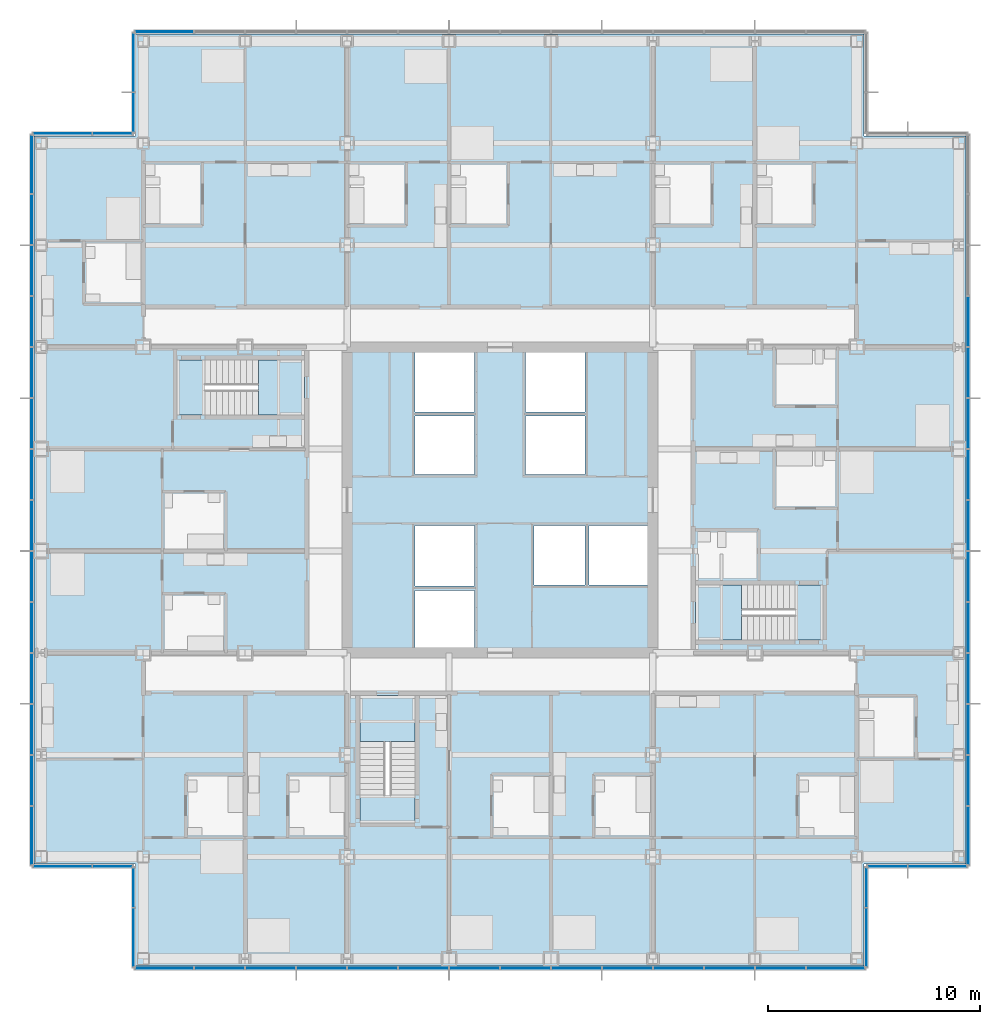
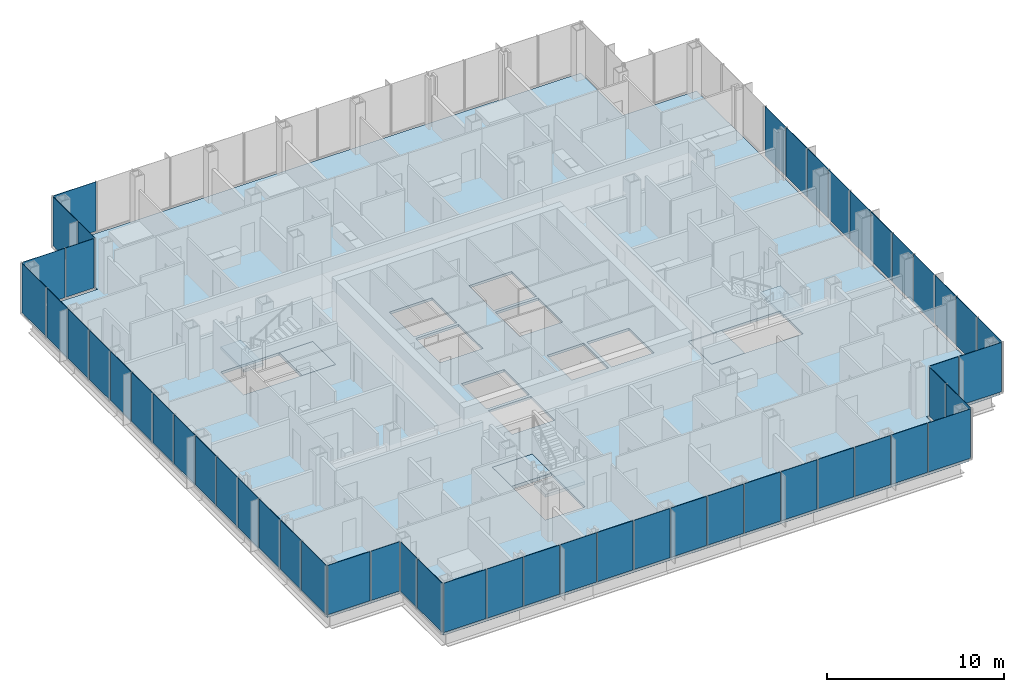
# One storey, part 12 of 21: 52 plates, 7 slabs, 13 elements without a shape of their own.
"""IFC4 building model written with IfcOpenShell, lengths in metres."""

import ifcopenshell
import ifcopenshell.guid

model = None  # the IFC model being written
_history = None  # IfcOwnerHistory: only IFC2X3 demands one
_inside = {}  # id of a spatial element -> (the spatial element, [elements in it])
_under = {}  # id of a project, library or spatial element -> (it, [spatial elements below it])
_declared = {}  # id of a project -> (the project, [libraries it declares])
_typed = {}  # id of a type object -> (the type object, [elements of that type])
_made_of = {}  # id of a material, layer set ... -> (it, [elements and type objects made of it])


def new_model(schema):
    """Start an empty IFC model of exactly this schema.

    Asked for "IFC4X3", IfcOpenShell would pick the latest addendum, in which some entities
    have other attributes; the version numbers below select the first issue.
    IFC2X3 requires an IfcOwnerHistory on every rooted entity: one is made here for all.
    """
    global model, _history
    if schema == "IFC4X3":
        model = ifcopenshell.file(schema_version=(4, 3, 0, 0))
    else:
        model = ifcopenshell.file(schema=schema)
    _inside.clear()
    _under.clear()
    _declared.clear()
    _typed.clear()
    _made_of.clear()
    _history = None
    if model.schema == "IFC2X3":
        org = make("IfcOrganization", Name="unknown")
        user = make(
            "IfcPersonAndOrganization",
            ThePerson=make("IfcPerson", FamilyName="unknown"),
            TheOrganization=org,
        )
        app = make(
            "IfcApplication",
            ApplicationDeveloper=org,
            Version="unknown",
            ApplicationFullName="unknown",
            ApplicationIdentifier="unknown",
        )
        _history = make(
            "IfcOwnerHistory",
            OwningUser=user,
            OwningApplication=app,
            ChangeAction="ADDED",
            CreationDate=0,
        )
    return model


def make(cls, **values):
    """One entity of the class cls with the attributes given. An attribute that is None is left unset."""
    return model.create_entity(
        cls, **{name: value for name, value in values.items() if value is not None}
    )


def rooted(cls, **values):
    """An entity with a GlobalId (a new one), such as an element, a storey or a relation."""
    return make(cls, GlobalId=ifcopenshell.guid.new(), OwnerHistory=_history, **values)


def si_unit(unit_type, name, prefix=None):
    """IfcSIUnit, for example si_unit("LENGTHUNIT", "METRE", prefix="MILLI")."""
    return make("IfcSIUnit", UnitType=unit_type, Prefix=prefix, Name=name)


def assignment(units):
    """IfcUnitAssignment: the units of a project."""
    return None if units is None else make("IfcUnitAssignment", Units=units)


def point(xyz):
    """IfcCartesianPoint."""
    return None if xyz is None else make("IfcCartesianPoint", Coordinates=xyz)


def direction(xyz):
    """IfcDirection."""
    return None if xyz is None else make("IfcDirection", DirectionRatios=xyz)


def frame(location, z_axis=None, x_axis=None):
    """IfcAxis2Placement3D, a coordinate frame: its origin and axes. An axis left out is left unset."""
    return make(
        "IfcAxis2Placement3D",
        Location=point(location),
        Axis=direction(z_axis),
        RefDirection=direction(x_axis),
    )


def frame_2d(location, x_axis=None):
    """IfcAxis2Placement2D, a coordinate frame in the plane: its origin and x axis."""
    return make(
        "IfcAxis2Placement2D", Location=point(location), RefDirection=direction(x_axis)
    )


def origin():
    """The frame at (0, 0, 0) with its axes left unset."""
    return frame((0.0, 0.0, 0.0))


def origin_2d():
    """The frame at (0, 0) in the plane with its x axis left unset."""
    return frame_2d((0.0, 0.0))


def place(relative_to, where):
    """IfcLocalPlacement: puts the frame where relative to a parent placement (None: the world)."""
    return make(
        "IfcLocalPlacement", PlacementRelTo=relative_to, RelativePlacement=where
    )


def context(
    kind, dimensions, precision=None, world=None, true_north=None, identifier=None
):
    """IfcGeometricRepresentationContext, for example the 3D "Model" context."""
    return make(
        "IfcGeometricRepresentationContext",
        ContextIdentifier=identifier,
        ContextType=kind,
        CoordinateSpaceDimension=dimensions,
        Precision=precision,
        WorldCoordinateSystem=world,
        TrueNorth=true_north,
    )


def subcontext(parent, identifier, kind, view, scale=None):
    """IfcGeometricRepresentationSubContext, for example "Body" below "Model"."""
    return make(
        "IfcGeometricRepresentationSubContext",
        ContextIdentifier=identifier,
        ContextType=kind,
        ParentContext=parent,
        TargetScale=scale,
        TargetView=view,
    )


def project(units=None, contexts=None):
    """IfcProject with its units and contexts."""
    return rooted(
        "IfcProject",
        Name="project",
        RepresentationContexts=contexts,
        UnitsInContext=assignment(units),
    )


def spatial(cls, under=None, at=None, **own):
    """A site, building, storey or space (cls), placed at a placement, below another one or the project."""
    s = rooted(cls, ObjectPlacement=at, **own)
    if under is not None:
        _under.setdefault(under.id(), (under, []))[1].append(s)
    return s


def polyline(points):
    """IfcPolyline through the points."""
    return make("IfcPolyline", Points=[point(p) for p in points])


def profile(cls, at=None, kind="AREA", **sizes):
    """A parametric profile (cls). Its sizes go by their IFC names, for example OverallWidth=200.0."""
    return make(cls, ProfileType=kind, Position=at, **sizes)


def rectangle(**sizes):
    """IfcRectangleProfileDef."""
    return profile("IfcRectangleProfileDef", **sizes)


def outline(outer, holes=None, kind="AREA"):
    """IfcArbitraryClosedProfileDef: a profile drawn as a closed curve; with holes, ...WithVoids."""
    if holes is None:
        return make("IfcArbitraryClosedProfileDef", ProfileType=kind, OuterCurve=outer)
    return make(
        "IfcArbitraryProfileDefWithVoids",
        ProfileType=kind,
        OuterCurve=outer,
        InnerCurves=holes,
    )


def extrude(swept, where, along, depth):
    """IfcExtrudedAreaSolid: the profile swept, set in the frame where, extruded along a direction by depth."""
    return make(
        "IfcExtrudedAreaSolid",
        SweptArea=swept,
        Position=where,
        ExtrudedDirection=direction(along),
        Depth=depth,
    )


def shape(context_of_items, identifier, shape_type, items):
    """IfcShapeRepresentation: the items that make up one representation, for example the "Body"."""
    return make(
        "IfcShapeRepresentation",
        ContextOfItems=context_of_items,
        RepresentationIdentifier=identifier,
        RepresentationType=shape_type,
        Items=items,
    )


def material(Name=None, Category=None):
    """IfcMaterial."""
    return make("IfcMaterial", Name=Name, Category=Category)


def layer(
    of_material, thickness, ventilated=None, Name=None, Category=None, Priority=None
):
    """IfcMaterialLayer: one layer of a wall or slab, of a material (None: an air gap)."""
    return make(
        "IfcMaterialLayer",
        Material=of_material,
        LayerThickness=thickness,
        IsVentilated=ventilated,
        Name=Name,
        Category=Category,
        Priority=Priority,
    )


def layer_set(layers, Name=None):
    """IfcMaterialLayerSet."""
    return make("IfcMaterialLayerSet", MaterialLayers=layers, LayerSetName=Name)


def made_of(thing, what):
    """Note that an element or type object is made of a material, layer set ...; save() writes the relation."""
    if what is not None:
        _made_of.setdefault(what.id(), (what, []))[1].append(thing)
    return thing


def type_object(cls, material=None, **own):
    """A type object (cls), such as IfcWallType, which elements share."""
    return made_of(rooted(cls, **own), material)


def element(
    cls,
    number,
    at=None,
    inside=None,
    cuts=None,
    type_object=None,
    material=None,
    context=None,
    identifier="Body",
    shape_type=None,
    held_by="IfcProductDefinitionShape",
    body=None,
    shapes=None,
    **own,
):
    """One element of the class cls, such as IfcWall. Its Tag is "e" and its number.

    at: its placement. inside: the storey or other place that contains it. cuts: it is an
    opening in that element (IfcRelVoidsElement). A single representation is given by context,
    identifier, shape_type and body (its items); several are given by shapes. held_by: the class
    of the entity that holds the representations. save() writes the other relations.
    """
    e = rooted(cls, Tag="e%d" % number, ObjectPlacement=at, **own)
    if body is not None:
        shapes = [shape(context, identifier, shape_type, body)]
    if shapes is not None:
        e.Representation = make(held_by, Representations=shapes)
    if inside is not None:
        _inside.setdefault(inside.id(), (inside, []))[1].append(e)
    if cuts is not None:
        rooted(
            "IfcRelVoidsElement", RelatingBuildingElement=cuts, RelatedOpeningElement=e
        )
    if type_object is not None:
        _typed.setdefault(type_object.id(), (type_object, []))[1].append(e)
    return made_of(e, material)


def aggregate(whole, parts):
    """IfcRelAggregates: a whole, such as a stair, and the parts it consists of."""
    return rooted("IfcRelAggregates", RelatingObject=whole, RelatedObjects=parts)


def save(model, path):
    """Write the relations noted so far, then the file.

    IfcRelAggregates (storeys below a building ...), IfcRelContainedInSpatialStructure (elements
    in a storey), IfcRelDefinesByType, IfcRelAssociatesMaterial and IfcRelDeclares: one each for
    every whole, place, type object, material and project.
    """
    for whole, parts in _under.values():
        aggregate(whole, parts)
    for where, things in _inside.values():
        rooted(
            "IfcRelContainedInSpatialStructure",
            RelatedElements=things,
            RelatingStructure=where,
        )
    for kind, things in _typed.values():
        rooted("IfcRelDefinesByType", RelatedObjects=things, RelatingType=kind)
    for what, things in _made_of.values():
        rooted("IfcRelAssociatesMaterial", RelatedObjects=things, RelatingMaterial=what)
    for by, libraries in _declared.values():
        rooted("IfcRelDeclares", RelatingContext=by, RelatedDefinitions=libraries)
    model.write(path)


model = new_model("IFC4")

# Units and contexts
model_context = context("Model", 3, precision=1e-05, world=origin(), true_north=direction((0.0, 1.0)))
body_context = subcontext(model_context, "Body", "Model", "MODEL_VIEW")
ifc_project = project(units=[si_unit("LENGTHUNIT", "METRE"), si_unit("AREAUNIT", "SQUARE_METRE"), si_unit("VOLUMEUNIT", "CUBIC_METRE"), si_unit("PLANEANGLEUNIT", "RADIAN"), si_unit("MASSUNIT", "GRAM", prefix="KILO")], contexts=[model_context])

# Site, building, storey
site_placement = place(None, origin())
site = spatial("IfcSite", under=ifc_project, at=site_placement, CompositionType="ELEMENT")
building_placement = place(site_placement, origin())
building = spatial("IfcBuilding", under=site, at=building_placement, Name="Kvirike Care Tower", CompositionType="ELEMENT")
storey_placement = place(building_placement, frame((0.0, 0.0, 30.5)))
storey = spatial("IfcBuildingStorey", under=building, at=storey_placement, Name="L07", CompositionType="ELEMENT", Elevation=30.5)

# Slab
ifc_material_1 = material(Name="Concrete C35/45", Category="concrete")
ifc_layer_1 = layer(ifc_material_1, 0.169921875)
ifc_layer_set_1 = layer_set([ifc_layer_1], Name="FLOOR SLAB 170")
slab_type_1 = type_object("IfcSlabType", Name="FLOOR SLAB 170", PredefinedType="FLOOR", material=ifc_layer_set_1)
slab_1_placement = place(storey_placement, frame((0.0, 0.0, -0.169921875)))
element("IfcSlab", 1, at=slab_1_placement, inside=storey, type_object=slab_type_1, Name="Floor slab L07", PredefinedType="FLOOR", context=body_context, shape_type="SweptSolid", body=[
    extrude(outline(polyline([(-0.35009765625, 53.14990234375), (-0.35009765625, 18.85009765625), (4.449951171875, 18.85009765625), (4.449951171875, 14.050048828125), (38.75, 14.050048828125), (38.75, 18.85009765625), (43.550048828125, 18.85009765625), (43.550048828125, 53.14990234375), (38.75, 53.14990234375), (38.75, 57.949951171875), (4.449951171875, 57.949951171875), (4.449951171875, 53.14990234375), (-0.35009765625, 53.14990234375)]), holes=[polyline([(17.60009765625, 29.050048828125), (17.60009765625, 31.75), (20.39990234375, 31.75), (20.39990234375, 29.050048828125), (17.60009765625, 29.050048828125)]), polyline([(17.60009765625, 31.949951171875), (17.60009765625, 34.800048828125), (20.39990234375, 34.800048828125), (20.39990234375, 31.949951171875), (17.60009765625, 31.949951171875)]), polyline([(17.60009765625, 37.199951171875), (17.60009765625, 39.949951171875), (20.39990234375, 39.949951171875), (20.39990234375, 37.199951171875), (17.60009765625, 37.199951171875)]), polyline([(17.60009765625, 40.14990234375), (17.60009765625, 42.949951171875), (20.39990234375, 42.949951171875), (20.39990234375, 40.14990234375), (17.60009765625, 40.14990234375)]), polyline([(22.800048828125, 37.199951171875), (22.800048828125, 39.949951171875), (25.60009765625, 39.949951171875), (25.60009765625, 37.199951171875), (22.800048828125, 37.199951171875)]), polyline([(22.800048828125, 40.14990234375), (22.800048828125, 42.949951171875), (25.60009765625, 42.949951171875), (25.60009765625, 40.14990234375), (22.800048828125, 40.14990234375)]), polyline([(23.199951171875, 32.0), (23.199951171875, 34.800048828125), (25.60009765625, 34.800048828125), (25.60009765625, 32.0), (23.199951171875, 32.0)]), polyline([(25.800048828125, 32.0), (25.800048828125, 34.800048828125), (28.550048828125, 34.800048828125), (28.550048828125, 32.0), (25.800048828125, 32.0)]), polyline([(12.39990234375, 42.60009765625), (12.39990234375, 40.0), (6.39990234375, 40.0), (6.39990234375, 42.60009765625), (12.39990234375, 42.60009765625)]), polyline([(30.800048828125, 29.39990234375), (30.800048828125, 32.0), (36.800048828125, 32.0), (36.800048828125, 29.39990234375), (30.800048828125, 29.39990234375)]), polyline([(15.0, 26.800048828125), (17.60009765625, 26.800048828125), (17.60009765625, 20.800048828125), (15.0, 20.800048828125), (15.0, 26.800048828125)])]), origin(), (0.0, 0.0, 1.0), 0.169921875),
])

# Stair, slabs
ifc_material_2 = material(Name="Concrete C35/45", Category="concrete")
stair_type = type_object("IfcStairType", Name="STAIR 20 RISERS", PredefinedType="HALF_TURN_STAIR", material=ifc_material_2)
stair_1_placement = place(storey_placement, origin())
stair_1 = element("IfcStair", 2, at=stair_1_placement, inside=storey, type_object=stair_type, Name="Stair 1 L07", PredefinedType="HALF_TURN_STAIR")
ifc_material_3 = material(Name="Concrete C35/45", Category="concrete")
ifc_layer_2 = layer(ifc_material_3, 0.199951171875)
ifc_layer_set_2 = layer_set([ifc_layer_2], Name="STAIR LANDING 200")
slab_type_2 = type_object("IfcSlabType", Name="STAIR LANDING 200", PredefinedType="LANDING", material=ifc_layer_set_2)
slab_2_placement = place(storey_placement, frame((0.0, 0.0, -0.199951171875)))
slab_2 = element("IfcSlab", 3, at=slab_2_placement, type_object=slab_type_2, Name="Stair S1 floor landing L07", PredefinedType="LANDING", context=body_context, shape_type="SweptSolid", body=[
    extrude(outline(polyline([(10.219970703125, 42.60009765625), (10.219970703125, 40.0), (12.39990234375, 40.0), (12.39990234375, 42.60009765625), (10.219970703125, 42.60009765625)])), origin(), (0.0, 0.0, 1.0), 0.199951171875),
])
slab_3_placement = place(storey_placement, frame((0.0, 0.0, 1.550048828125)))
slab_3 = element("IfcSlab", 4, at=slab_3_placement, type_object=slab_type_2, Name="Stair S1 half landing L07-L08", PredefinedType="LANDING", context=body_context, shape_type="SweptSolid", body=[
    extrude(outline(polyline([(6.39990234375, 42.60009765625), (6.39990234375, 40.0), (7.699951171875, 40.0), (7.699951171875, 42.60009765625), (6.39990234375, 42.60009765625)])), origin(), (0.0, 0.0, 1.0), 0.199951171875),
])
aggregate(stair_1, [slab_2, slab_3])

stair_2_placement = place(storey_placement, origin())
stair_2 = element("IfcStair", 5, at=stair_2_placement, inside=storey, type_object=stair_type, Name="Stair 2 L07", PredefinedType="HALF_TURN_STAIR")
slab_4_placement = place(storey_placement, frame((0.0, 0.0, -0.199951171875)))
slab_4 = element("IfcSlab", 6, at=slab_4_placement, type_object=slab_type_2, Name="Stair S2 floor landing L07", PredefinedType="LANDING", context=body_context, shape_type="SweptSolid", body=[
    extrude(outline(polyline([(32.97998046875, 29.39990234375), (32.97998046875, 32.0), (30.800048828125, 32.0), (30.800048828125, 29.39990234375), (32.97998046875, 29.39990234375)])), origin(), (0.0, 0.0, 1.0), 0.199951171875),
])
slab_5_placement = place(storey_placement, frame((0.0, 0.0, 1.550048828125)))
slab_5 = element("IfcSlab", 7, at=slab_5_placement, type_object=slab_type_2, Name="Stair S2 half landing L07-L08", PredefinedType="LANDING", context=body_context, shape_type="SweptSolid", body=[
    extrude(outline(polyline([(36.800048828125, 29.39990234375), (36.800048828125, 32.0), (35.5, 32.0), (35.5, 29.39990234375), (36.800048828125, 29.39990234375)])), origin(), (0.0, 0.0, 1.0), 0.199951171875),
])
aggregate(stair_2, [slab_4, slab_5])

stair_3_placement = place(storey_placement, origin())
stair_3 = element("IfcStair", 8, at=stair_3_placement, inside=storey, type_object=stair_type, Name="Stair 5 L07", PredefinedType="HALF_TURN_STAIR")
slab_6_placement = place(storey_placement, frame((0.0, 0.0, -0.199951171875)))
slab_6 = element("IfcSlab", 9, at=slab_6_placement, type_object=slab_type_2, Name="Stair S5 floor landing L07", PredefinedType="LANDING", context=body_context, shape_type="SweptSolid", body=[
    extrude(outline(polyline([(15.0, 24.6201171875), (17.60009765625, 24.6201171875), (17.60009765625, 26.800048828125), (15.0, 26.800048828125), (15.0, 24.6201171875)])), origin(), (0.0, 0.0, 1.0), 0.199951171875),
])
slab_7_placement = place(storey_placement, frame((0.0, 0.0, 1.550048828125)))
slab_7 = element("IfcSlab", 10, at=slab_7_placement, type_object=slab_type_2, Name="Stair S5 half landing L07-L08", PredefinedType="LANDING", context=body_context, shape_type="SweptSolid", body=[
    extrude(outline(polyline([(15.0, 20.800048828125), (17.60009765625, 20.800048828125), (17.60009765625, 22.10009765625), (15.0, 22.10009765625), (15.0, 20.800048828125)])), origin(), (0.0, 0.0, 1.0), 0.199951171875),
])
aggregate(stair_3, [slab_6, slab_7])

# Curtain wall, plates
ifc_material_4 = material(Name="Anodised aluminium stick system", Category="aluminium")
curtain_wall_type = type_object("IfcCurtainWallType", Name="CW-A STICK CURTAIN WALL", PredefinedType="NOTDEFINED", material=ifc_material_4)
curtain_wall_1_placement = place(storey_placement, origin())
curtain_wall_1 = element("IfcCurtainWall", 11, at=curtain_wall_1_placement, inside=storey, type_object=curtain_wall_type, Name="Curtain wall L07 face 1", PredefinedType="NOTDEFINED")
ifc_material_5 = material(Name="Tinted double glazed unit", Category="glass")
ifc_layer_3 = layer(ifc_material_5, 0.031982421875)
ifc_layer_set_3 = layer_set([ifc_layer_3], Name="TINTED VISION PANEL 32")
plate_type = type_object("IfcPlateType", Name="TINTED VISION PANEL 32", PredefinedType="CURTAIN_PANEL", material=ifc_layer_set_3)
plate_1_placement = place(storey_placement, frame((-0.449951171875, 51.808837890625, 0.10009765625), z_axis=(0.0, 0.0, 1.0), x_axis=(0.0, -1.0, 0.0)))
plate_1 = element("IfcPlate", 12, at=plate_1_placement, type_object=plate_type, Name="CW-A panel L07 face 1.1", PredefinedType="CURTAIN_PANEL", context=body_context, shape_type="SweptSolid", body=[
    extrude(rectangle(XDim=2.75244140625, YDim=0.031982421875, at=origin_2d()), origin(), (0.0, 0.0, 1.0), 3.39990234375),
])
plate_2_placement = place(storey_placement, frame((-0.449951171875, 49.199951171875, 0.10009765625), z_axis=(0.0, 0.0, 1.0), x_axis=(0.0, -1.0, 0.0)))
plate_2 = element("IfcPlate", 13, at=plate_2_placement, type_object=plate_type, Name="CW-A panel L07 face 1.2", PredefinedType="CURTAIN_PANEL", context=body_context, shape_type="SweptSolid", body=[
    extrude(rectangle(XDim=2.3349609375, YDim=0.031982421875, at=origin_2d()), origin(), (0.0, 0.0, 1.0), 3.39990234375),
])
plate_3_placement = place(storey_placement, frame((-0.449951171875, 46.800048828125, 0.10009765625), z_axis=(0.0, 0.0, 1.0), x_axis=(0.0, -1.0, 0.0)))
plate_3 = element("IfcPlate", 14, at=plate_3_placement, type_object=plate_type, Name="CW-A panel L07 face 1.3", PredefinedType="CURTAIN_PANEL", context=body_context, shape_type="SweptSolid", body=[
    extrude(rectangle(XDim=2.3349609375, YDim=0.031982421875, at=origin_2d()), origin(), (0.0, 0.0, 1.0), 3.39990234375),
])
plate_4_placement = place(storey_placement, frame((-0.449951171875, 44.39990234375, 0.10009765625), z_axis=(0.0, 0.0, 1.0), x_axis=(0.0, -1.0, 0.0)))
plate_4 = element("IfcPlate", 15, at=plate_4_placement, type_object=plate_type, Name="CW-A panel L07 face 1.4", PredefinedType="CURTAIN_PANEL", context=body_context, shape_type="SweptSolid", body=[
    extrude(rectangle(XDim=2.3349609375, YDim=0.031982421875, at=origin_2d()), origin(), (0.0, 0.0, 1.0), 3.39990234375),
])
plate_5_placement = place(storey_placement, frame((-0.449951171875, 42.0, 0.10009765625), z_axis=(0.0, 0.0, 1.0), x_axis=(0.0, -1.0, 0.0)))
plate_5 = element("IfcPlate", 16, at=plate_5_placement, type_object=plate_type, Name="CW-A panel L07 face 1.5", PredefinedType="CURTAIN_PANEL", context=body_context, shape_type="SweptSolid", body=[
    extrude(rectangle(XDim=2.3349609375, YDim=0.031982421875, at=origin_2d()), origin(), (0.0, 0.0, 1.0), 3.39990234375),
])
plate_6_placement = place(storey_placement, frame((-0.449951171875, 39.60009765625, 0.10009765625), z_axis=(0.0, 0.0, 1.0), x_axis=(0.0, -1.0, 0.0)))
plate_6 = element("IfcPlate", 17, at=plate_6_placement, type_object=plate_type, Name="CW-A panel L07 face 1.6", PredefinedType="CURTAIN_PANEL", context=body_context, shape_type="SweptSolid", body=[
    extrude(rectangle(XDim=2.3349609375, YDim=0.031982421875, at=origin_2d()), origin(), (0.0, 0.0, 1.0), 3.39990234375),
])
plate_7_placement = place(storey_placement, frame((-0.449951171875, 37.199951171875, 0.10009765625), z_axis=(0.0, 0.0, 1.0), x_axis=(0.0, -1.0, 0.0)))
plate_7 = element("IfcPlate", 18, at=plate_7_placement, type_object=plate_type, Name="CW-A panel L07 face 1.7", PredefinedType="CURTAIN_PANEL", context=body_context, shape_type="SweptSolid", body=[
    extrude(rectangle(XDim=2.3349609375, YDim=0.031982421875, at=origin_2d()), origin(), (0.0, 0.0, 1.0), 3.39990234375),
])
plate_8_placement = place(storey_placement, frame((-0.449951171875, 34.800048828125, 0.10009765625), z_axis=(0.0, 0.0, 1.0), x_axis=(0.0, -1.0, 0.0)))
plate_8 = element("IfcPlate", 19, at=plate_8_placement, type_object=plate_type, Name="CW-A panel L07 face 1.8", PredefinedType="CURTAIN_PANEL", context=body_context, shape_type="SweptSolid", body=[
    extrude(rectangle(XDim=2.3349609375, YDim=0.031982421875, at=origin_2d()), origin(), (0.0, 0.0, 1.0), 3.39990234375),
])
plate_9_placement = place(storey_placement, frame((-0.449951171875, 32.39990234375, 0.10009765625), z_axis=(0.0, 0.0, 1.0), x_axis=(0.0, -1.0, 0.0)))
plate_9 = element("IfcPlate", 20, at=plate_9_placement, type_object=plate_type, Name="CW-A panel L07 face 1.9", PredefinedType="CURTAIN_PANEL", context=body_context, shape_type="SweptSolid", body=[
    extrude(rectangle(XDim=2.3349609375, YDim=0.031982421875, at=origin_2d()), origin(), (0.0, 0.0, 1.0), 3.39990234375),
])
plate_10_placement = place(storey_placement, frame((-0.449951171875, 30.0, 0.10009765625), z_axis=(0.0, 0.0, 1.0), x_axis=(0.0, -1.0, 0.0)))
plate_10 = element("IfcPlate", 21, at=plate_10_placement, type_object=plate_type, Name="CW-A panel L07 face 1.10", PredefinedType="CURTAIN_PANEL", context=body_context, shape_type="SweptSolid", body=[
    extrude(rectangle(XDim=2.3349609375, YDim=0.031982421875, at=origin_2d()), origin(), (0.0, 0.0, 1.0), 3.39990234375),
])
plate_11_placement = place(storey_placement, frame((-0.449951171875, 27.60009765625, 0.10009765625), z_axis=(0.0, 0.0, 1.0), x_axis=(0.0, -1.0, 0.0)))
plate_11 = element("IfcPlate", 22, at=plate_11_placement, type_object=plate_type, Name="CW-A panel L07 face 1.11", PredefinedType="CURTAIN_PANEL", context=body_context, shape_type="SweptSolid", body=[
    extrude(rectangle(XDim=2.3349609375, YDim=0.031982421875, at=origin_2d()), origin(), (0.0, 0.0, 1.0), 3.39990234375),
])
plate_12_placement = place(storey_placement, frame((-0.449951171875, 25.199951171875, 0.10009765625), z_axis=(0.0, 0.0, 1.0), x_axis=(0.0, -1.0, 0.0)))
plate_12 = element("IfcPlate", 23, at=plate_12_placement, type_object=plate_type, Name="CW-A panel L07 face 1.12", PredefinedType="CURTAIN_PANEL", context=body_context, shape_type="SweptSolid", body=[
    extrude(rectangle(XDim=2.3349609375, YDim=0.031982421875, at=origin_2d()), origin(), (0.0, 0.0, 1.0), 3.39990234375),
])
plate_13_placement = place(storey_placement, frame((-0.449951171875, 22.800048828125, 0.10009765625), z_axis=(0.0, 0.0, 1.0), x_axis=(0.0, -1.0, 0.0)))
plate_13 = element("IfcPlate", 24, at=plate_13_placement, type_object=plate_type, Name="CW-A panel L07 face 1.13", PredefinedType="CURTAIN_PANEL", context=body_context, shape_type="SweptSolid", body=[
    extrude(rectangle(XDim=2.3349609375, YDim=0.031982421875, at=origin_2d()), origin(), (0.0, 0.0, 1.0), 3.39990234375),
])
plate_14_placement = place(storey_placement, frame((-0.449951171875, 20.191162109375, 0.10009765625), z_axis=(0.0, 0.0, 1.0), x_axis=(0.0, -1.0, 0.0)))
plate_14 = element("IfcPlate", 25, at=plate_14_placement, type_object=plate_type, Name="CW-A panel L07 face 1.14", PredefinedType="CURTAIN_PANEL", context=body_context, shape_type="SweptSolid", body=[
    extrude(rectangle(XDim=2.75244140625, YDim=0.031982421875, at=origin_2d()), origin(), (0.0, 0.0, 1.0), 3.39990234375),
])
aggregate(curtain_wall_1, [plate_1, plate_2, plate_3, plate_4, plate_5, plate_6, plate_7, plate_8, plate_9, plate_10, plate_11, plate_12, plate_13, plate_14])

curtain_wall_2_placement = place(storey_placement, origin())
curtain_wall_2 = element("IfcCurtainWall", 26, at=curtain_wall_2_placement, inside=storey, type_object=curtain_wall_type, Name="Curtain wall L07 face 2", PredefinedType="NOTDEFINED")
plate_15_placement = place(storey_placement, frame((0.9912109375, 18.75, 0.10009765625), z_axis=(0.0, 0.0, 1.0), x_axis=(1.0, 0.0, 0.0)))
plate_15 = element("IfcPlate", 27, at=plate_15_placement, type_object=plate_type, Name="CW-A panel L07 face 2.1", PredefinedType="CURTAIN_PANEL", context=body_context, shape_type="SweptSolid", body=[
    extrude(rectangle(XDim=2.75244140625, YDim=0.031982421875, at=origin_2d()), origin(), (0.0, 0.0, 1.0), 3.39990234375),
])
plate_16_placement = place(storey_placement, frame((3.358642578125, 18.75, 0.10009765625), z_axis=(0.0, 0.0, 1.0), x_axis=(1.0, 0.0, 0.0)))
plate_16 = element("IfcPlate", 28, at=plate_16_placement, type_object=plate_type, Name="CW-A panel L07 face 2.2", PredefinedType="CURTAIN_PANEL", context=body_context, shape_type="SweptSolid", body=[
    extrude(rectangle(XDim=1.8525390625, YDim=0.031982421875, at=origin_2d()), origin(), (0.0, 0.0, 1.0), 3.39990234375),
])
aggregate(curtain_wall_2, [plate_15, plate_16])

curtain_wall_3_placement = place(storey_placement, origin())
curtain_wall_3 = element("IfcCurtainWall", 29, at=curtain_wall_3_placement, inside=storey, type_object=curtain_wall_type, Name="Curtain wall L07 face 3", PredefinedType="NOTDEFINED")
plate_17_placement = place(storey_placement, frame((4.35009765625, 17.7587890625, 0.10009765625), z_axis=(0.0, 0.0, 1.0), x_axis=(0.0, -1.0, 0.0)))
plate_17 = element("IfcPlate", 30, at=plate_17_placement, type_object=plate_type, Name="CW-A panel L07 face 3.1", PredefinedType="CURTAIN_PANEL", context=body_context, shape_type="SweptSolid", body=[
    extrude(rectangle(XDim=1.8525390625, YDim=0.031982421875, at=origin_2d()), origin(), (0.0, 0.0, 1.0), 3.39990234375),
])
plate_18_placement = place(storey_placement, frame((4.35009765625, 15.391357421875, 0.10009765625), z_axis=(0.0, 0.0, 1.0), x_axis=(0.0, -1.0, 0.0)))
plate_18 = element("IfcPlate", 31, at=plate_18_placement, type_object=plate_type, Name="CW-A panel L07 face 3.2", PredefinedType="CURTAIN_PANEL", context=body_context, shape_type="SweptSolid", body=[
    extrude(rectangle(XDim=2.75244140625, YDim=0.031982421875, at=origin_2d()), origin(), (0.0, 0.0, 1.0), 3.39990234375),
])
aggregate(curtain_wall_3, [plate_17, plate_18])

curtain_wall_4_placement = place(storey_placement, origin())
curtain_wall_4 = element("IfcCurtainWall", 32, at=curtain_wall_4_placement, inside=storey, type_object=curtain_wall_type, Name="Curtain wall L07 face 4", PredefinedType="NOTDEFINED")
plate_19_placement = place(storey_placement, frame((5.791259765625, 13.949951171875, 0.10009765625), z_axis=(0.0, 0.0, 1.0), x_axis=(1.0, 0.0, 0.0)))
plate_19 = element("IfcPlate", 33, at=plate_19_placement, type_object=plate_type, Name="CW-A panel L07 face 4.1", PredefinedType="CURTAIN_PANEL", context=body_context, shape_type="SweptSolid", body=[
    extrude(rectangle(XDim=2.75244140625, YDim=0.031982421875, at=origin_2d()), origin(), (0.0, 0.0, 1.0), 3.39990234375),
])
plate_20_placement = place(storey_placement, frame((8.39990234375, 13.949951171875, 0.10009765625), z_axis=(0.0, 0.0, 1.0), x_axis=(1.0, 0.0, 0.0)))
plate_20 = element("IfcPlate", 34, at=plate_20_placement, type_object=plate_type, Name="CW-A panel L07 face 4.2", PredefinedType="CURTAIN_PANEL", context=body_context, shape_type="SweptSolid", body=[
    extrude(rectangle(XDim=2.3349609375, YDim=0.031982421875, at=origin_2d()), origin(), (0.0, 0.0, 1.0), 3.39990234375),
])
plate_21_placement = place(storey_placement, frame((10.800048828125, 13.949951171875, 0.10009765625), z_axis=(0.0, 0.0, 1.0), x_axis=(1.0, 0.0, 0.0)))
plate_21 = element("IfcPlate", 35, at=plate_21_placement, type_object=plate_type, Name="CW-A panel L07 face 4.3", PredefinedType="CURTAIN_PANEL", context=body_context, shape_type="SweptSolid", body=[
    extrude(rectangle(XDim=2.3349609375, YDim=0.031982421875, at=origin_2d()), origin(), (0.0, 0.0, 1.0), 3.39990234375),
])
plate_22_placement = place(storey_placement, frame((13.199951171875, 13.949951171875, 0.10009765625), z_axis=(0.0, 0.0, 1.0), x_axis=(1.0, 0.0, 0.0)))
plate_22 = element("IfcPlate", 36, at=plate_22_placement, type_object=plate_type, Name="CW-A panel L07 face 4.4", PredefinedType="CURTAIN_PANEL", context=body_context, shape_type="SweptSolid", body=[
    extrude(rectangle(XDim=2.3349609375, YDim=0.031982421875, at=origin_2d()), origin(), (0.0, 0.0, 1.0), 3.39990234375),
])
plate_23_placement = place(storey_placement, frame((15.60009765625, 13.949951171875, 0.10009765625), z_axis=(0.0, 0.0, 1.0), x_axis=(1.0, 0.0, 0.0)))
plate_23 = element("IfcPlate", 37, at=plate_23_placement, type_object=plate_type, Name="CW-A panel L07 face 4.5", PredefinedType="CURTAIN_PANEL", context=body_context, shape_type="SweptSolid", body=[
    extrude(rectangle(XDim=2.3349609375, YDim=0.031982421875, at=origin_2d()), origin(), (0.0, 0.0, 1.0), 3.39990234375),
])
plate_24_placement = place(storey_placement, frame((18.0, 13.949951171875, 0.10009765625), z_axis=(0.0, 0.0, 1.0), x_axis=(1.0, 0.0, 0.0)))
plate_24 = element("IfcPlate", 38, at=plate_24_placement, type_object=plate_type, Name="CW-A panel L07 face 4.6", PredefinedType="CURTAIN_PANEL", context=body_context, shape_type="SweptSolid", body=[
    extrude(rectangle(XDim=2.3349609375, YDim=0.031982421875, at=origin_2d()), origin(), (0.0, 0.0, 1.0), 3.39990234375),
])
plate_25_placement = place(storey_placement, frame((20.39990234375, 13.949951171875, 0.10009765625), z_axis=(0.0, 0.0, 1.0), x_axis=(1.0, 0.0, 0.0)))
plate_25 = element("IfcPlate", 39, at=plate_25_placement, type_object=plate_type, Name="CW-A panel L07 face 4.7", PredefinedType="CURTAIN_PANEL", context=body_context, shape_type="SweptSolid", body=[
    extrude(rectangle(XDim=2.3349609375, YDim=0.031982421875, at=origin_2d()), origin(), (0.0, 0.0, 1.0), 3.39990234375),
])
plate_26_placement = place(storey_placement, frame((22.800048828125, 13.949951171875, 0.10009765625), z_axis=(0.0, 0.0, 1.0), x_axis=(1.0, 0.0, 0.0)))
plate_26 = element("IfcPlate", 40, at=plate_26_placement, type_object=plate_type, Name="CW-A panel L07 face 4.8", PredefinedType="CURTAIN_PANEL", context=body_context, shape_type="SweptSolid", body=[
    extrude(rectangle(XDim=2.3349609375, YDim=0.031982421875, at=origin_2d()), origin(), (0.0, 0.0, 1.0), 3.39990234375),
])
plate_27_placement = place(storey_placement, frame((25.199951171875, 13.949951171875, 0.10009765625), z_axis=(0.0, 0.0, 1.0), x_axis=(1.0, 0.0, 0.0)))
plate_27 = element("IfcPlate", 41, at=plate_27_placement, type_object=plate_type, Name="CW-A panel L07 face 4.9", PredefinedType="CURTAIN_PANEL", context=body_context, shape_type="SweptSolid", body=[
    extrude(rectangle(XDim=2.3349609375, YDim=0.031982421875, at=origin_2d()), origin(), (0.0, 0.0, 1.0), 3.39990234375),
])
plate_28_placement = place(storey_placement, frame((27.60009765625, 13.949951171875, 0.10009765625), z_axis=(0.0, 0.0, 1.0), x_axis=(1.0, 0.0, 0.0)))
plate_28 = element("IfcPlate", 42, at=plate_28_placement, type_object=plate_type, Name="CW-A panel L07 face 4.10", PredefinedType="CURTAIN_PANEL", context=body_context, shape_type="SweptSolid", body=[
    extrude(rectangle(XDim=2.3349609375, YDim=0.031982421875, at=origin_2d()), origin(), (0.0, 0.0, 1.0), 3.39990234375),
])
plate_29_placement = place(storey_placement, frame((30.0, 13.949951171875, 0.10009765625), z_axis=(0.0, 0.0, 1.0), x_axis=(1.0, 0.0, 0.0)))
plate_29 = element("IfcPlate", 43, at=plate_29_placement, type_object=plate_type, Name="CW-A panel L07 face 4.11", PredefinedType="CURTAIN_PANEL", context=body_context, shape_type="SweptSolid", body=[
    extrude(rectangle(XDim=2.3349609375, YDim=0.031982421875, at=origin_2d()), origin(), (0.0, 0.0, 1.0), 3.39990234375),
])
plate_30_placement = place(storey_placement, frame((32.39990234375, 13.949951171875, 0.10009765625), z_axis=(0.0, 0.0, 1.0), x_axis=(1.0, 0.0, 0.0)))
plate_30 = element("IfcPlate", 44, at=plate_30_placement, type_object=plate_type, Name="CW-A panel L07 face 4.12", PredefinedType="CURTAIN_PANEL", context=body_context, shape_type="SweptSolid", body=[
    extrude(rectangle(XDim=2.3349609375, YDim=0.031982421875, at=origin_2d()), origin(), (0.0, 0.0, 1.0), 3.39990234375),
])
plate_31_placement = place(storey_placement, frame((34.800048828125, 13.949951171875, 0.10009765625), z_axis=(0.0, 0.0, 1.0), x_axis=(1.0, 0.0, 0.0)))
plate_31 = element("IfcPlate", 45, at=plate_31_placement, type_object=plate_type, Name="CW-A panel L07 face 4.13", PredefinedType="CURTAIN_PANEL", context=body_context, shape_type="SweptSolid", body=[
    extrude(rectangle(XDim=2.3349609375, YDim=0.031982421875, at=origin_2d()), origin(), (0.0, 0.0, 1.0), 3.39990234375),
])
plate_32_placement = place(storey_placement, frame((37.40869140625, 13.949951171875, 0.10009765625), z_axis=(0.0, 0.0, 1.0), x_axis=(1.0, 0.0, 0.0)))
plate_32 = element("IfcPlate", 46, at=plate_32_placement, type_object=plate_type, Name="CW-A panel L07 face 4.14", PredefinedType="CURTAIN_PANEL", context=body_context, shape_type="SweptSolid", body=[
    extrude(rectangle(XDim=2.75244140625, YDim=0.031982421875, at=origin_2d()), origin(), (0.0, 0.0, 1.0), 3.39990234375),
])
aggregate(curtain_wall_4, [plate_19, plate_20, plate_21, plate_22, plate_23, plate_24, plate_25, plate_26, plate_27, plate_28, plate_29, plate_30, plate_31, plate_32])

curtain_wall_5_placement = place(storey_placement, origin())
curtain_wall_5 = element("IfcCurtainWall", 47, at=curtain_wall_5_placement, inside=storey, type_object=curtain_wall_type, Name="Curtain wall L07 face 5", PredefinedType="NOTDEFINED")
plate_33_placement = place(storey_placement, frame((38.85009765625, 15.391357421875, 0.10009765625), z_axis=(0.0, 0.0, 1.0), x_axis=(0.0, 1.0, 0.0)))
plate_33 = element("IfcPlate", 48, at=plate_33_placement, type_object=plate_type, Name="CW-A panel L07 face 5.1", PredefinedType="CURTAIN_PANEL", context=body_context, shape_type="SweptSolid", body=[
    extrude(rectangle(XDim=2.75244140625, YDim=0.031982421875, at=origin_2d()), origin(), (0.0, 0.0, 1.0), 3.39990234375),
])
plate_34_placement = place(storey_placement, frame((38.85009765625, 17.7587890625, 0.10009765625), z_axis=(0.0, 0.0, 1.0), x_axis=(0.0, 1.0, 0.0)))
plate_34 = element("IfcPlate", 49, at=plate_34_placement, type_object=plate_type, Name="CW-A panel L07 face 5.2", PredefinedType="CURTAIN_PANEL", context=body_context, shape_type="SweptSolid", body=[
    extrude(rectangle(XDim=1.8525390625, YDim=0.031982421875, at=origin_2d()), origin(), (0.0, 0.0, 1.0), 3.39990234375),
])
aggregate(curtain_wall_5, [plate_33, plate_34])

curtain_wall_6_placement = place(storey_placement, origin())
curtain_wall_6 = element("IfcCurtainWall", 50, at=curtain_wall_6_placement, inside=storey, type_object=curtain_wall_type, Name="Curtain wall L07 face 6", PredefinedType="NOTDEFINED")
plate_35_placement = place(storey_placement, frame((39.84130859375, 18.75, 0.10009765625), z_axis=(0.0, 0.0, 1.0), x_axis=(1.0, 0.0, 0.0)))
plate_35 = element("IfcPlate", 51, at=plate_35_placement, type_object=plate_type, Name="CW-A panel L07 face 6.1", PredefinedType="CURTAIN_PANEL", context=body_context, shape_type="SweptSolid", body=[
    extrude(rectangle(XDim=1.8525390625, YDim=0.031982421875, at=origin_2d()), origin(), (0.0, 0.0, 1.0), 3.39990234375),
])
plate_36_placement = place(storey_placement, frame((42.208740234375, 18.75, 0.10009765625), z_axis=(0.0, 0.0, 1.0), x_axis=(1.0, 0.0, 0.0)))
plate_36 = element("IfcPlate", 52, at=plate_36_placement, type_object=plate_type, Name="CW-A panel L07 face 6.2", PredefinedType="CURTAIN_PANEL", context=body_context, shape_type="SweptSolid", body=[
    extrude(rectangle(XDim=2.75244140625, YDim=0.031982421875, at=origin_2d()), origin(), (0.0, 0.0, 1.0), 3.39990234375),
])
aggregate(curtain_wall_6, [plate_35, plate_36])

curtain_wall_7_placement = place(storey_placement, origin())
curtain_wall_7 = element("IfcCurtainWall", 53, at=curtain_wall_7_placement, inside=storey, type_object=curtain_wall_type, Name="Curtain wall L07 face 7", PredefinedType="NOTDEFINED")
plate_37_placement = place(storey_placement, frame((43.64990234375, 20.191162109375, 0.10009765625), z_axis=(0.0, 0.0, 1.0), x_axis=(0.0, 1.0, 0.0)))
plate_37 = element("IfcPlate", 54, at=plate_37_placement, type_object=plate_type, Name="CW-A panel L07 face 7.1", PredefinedType="CURTAIN_PANEL", context=body_context, shape_type="SweptSolid", body=[
    extrude(rectangle(XDim=2.75244140625, YDim=0.031982421875, at=origin_2d()), origin(), (0.0, 0.0, 1.0), 3.39990234375),
])
plate_38_placement = place(storey_placement, frame((43.64990234375, 22.800048828125, 0.10009765625), z_axis=(0.0, 0.0, 1.0), x_axis=(0.0, 1.0, 0.0)))
plate_38 = element("IfcPlate", 55, at=plate_38_placement, type_object=plate_type, Name="CW-A panel L07 face 7.2", PredefinedType="CURTAIN_PANEL", context=body_context, shape_type="SweptSolid", body=[
    extrude(rectangle(XDim=2.3349609375, YDim=0.031982421875, at=origin_2d()), origin(), (0.0, 0.0, 1.0), 3.39990234375),
])
plate_39_placement = place(storey_placement, frame((43.64990234375, 25.199951171875, 0.10009765625), z_axis=(0.0, 0.0, 1.0), x_axis=(0.0, 1.0, 0.0)))
plate_39 = element("IfcPlate", 56, at=plate_39_placement, type_object=plate_type, Name="CW-A panel L07 face 7.3", PredefinedType="CURTAIN_PANEL", context=body_context, shape_type="SweptSolid", body=[
    extrude(rectangle(XDim=2.3349609375, YDim=0.031982421875, at=origin_2d()), origin(), (0.0, 0.0, 1.0), 3.39990234375),
])
plate_40_placement = place(storey_placement, frame((43.64990234375, 27.60009765625, 0.10009765625), z_axis=(0.0, 0.0, 1.0), x_axis=(0.0, 1.0, 0.0)))
plate_40 = element("IfcPlate", 57, at=plate_40_placement, type_object=plate_type, Name="CW-A panel L07 face 7.4", PredefinedType="CURTAIN_PANEL", context=body_context, shape_type="SweptSolid", body=[
    extrude(rectangle(XDim=2.3349609375, YDim=0.031982421875, at=origin_2d()), origin(), (0.0, 0.0, 1.0), 3.39990234375),
])
plate_41_placement = place(storey_placement, frame((43.64990234375, 30.0, 0.10009765625), z_axis=(0.0, 0.0, 1.0), x_axis=(0.0, 1.0, 0.0)))
plate_41 = element("IfcPlate", 58, at=plate_41_placement, type_object=plate_type, Name="CW-A panel L07 face 7.5", PredefinedType="CURTAIN_PANEL", context=body_context, shape_type="SweptSolid", body=[
    extrude(rectangle(XDim=2.3349609375, YDim=0.031982421875, at=origin_2d()), origin(), (0.0, 0.0, 1.0), 3.39990234375),
])
plate_42_placement = place(storey_placement, frame((43.64990234375, 32.39990234375, 0.10009765625), z_axis=(0.0, 0.0, 1.0), x_axis=(0.0, 1.0, 0.0)))
plate_42 = element("IfcPlate", 59, at=plate_42_placement, type_object=plate_type, Name="CW-A panel L07 face 7.6", PredefinedType="CURTAIN_PANEL", context=body_context, shape_type="SweptSolid", body=[
    extrude(rectangle(XDim=2.3349609375, YDim=0.031982421875, at=origin_2d()), origin(), (0.0, 0.0, 1.0), 3.39990234375),
])
plate_43_placement = place(storey_placement, frame((43.64990234375, 34.800048828125, 0.10009765625), z_axis=(0.0, 0.0, 1.0), x_axis=(0.0, 1.0, 0.0)))
plate_43 = element("IfcPlate", 60, at=plate_43_placement, type_object=plate_type, Name="CW-A panel L07 face 7.7", PredefinedType="CURTAIN_PANEL", context=body_context, shape_type="SweptSolid", body=[
    extrude(rectangle(XDim=2.3349609375, YDim=0.031982421875, at=origin_2d()), origin(), (0.0, 0.0, 1.0), 3.39990234375),
])
plate_44_placement = place(storey_placement, frame((43.64990234375, 37.199951171875, 0.10009765625), z_axis=(0.0, 0.0, 1.0), x_axis=(0.0, 1.0, 0.0)))
plate_44 = element("IfcPlate", 61, at=plate_44_placement, type_object=plate_type, Name="CW-A panel L07 face 7.8", PredefinedType="CURTAIN_PANEL", context=body_context, shape_type="SweptSolid", body=[
    extrude(rectangle(XDim=2.3349609375, YDim=0.031982421875, at=origin_2d()), origin(), (0.0, 0.0, 1.0), 3.39990234375),
])
plate_45_placement = place(storey_placement, frame((43.64990234375, 39.60009765625, 0.10009765625), z_axis=(0.0, 0.0, 1.0), x_axis=(0.0, 1.0, 0.0)))
plate_45 = element("IfcPlate", 62, at=plate_45_placement, type_object=plate_type, Name="CW-A panel L07 face 7.9", PredefinedType="CURTAIN_PANEL", context=body_context, shape_type="SweptSolid", body=[
    extrude(rectangle(XDim=2.3349609375, YDim=0.031982421875, at=origin_2d()), origin(), (0.0, 0.0, 1.0), 3.39990234375),
])
plate_46_placement = place(storey_placement, frame((43.64990234375, 42.0, 0.10009765625), z_axis=(0.0, 0.0, 1.0), x_axis=(0.0, 1.0, 0.0)))
plate_46 = element("IfcPlate", 63, at=plate_46_placement, type_object=plate_type, Name="CW-A panel L07 face 7.10", PredefinedType="CURTAIN_PANEL", context=body_context, shape_type="SweptSolid", body=[
    extrude(rectangle(XDim=2.3349609375, YDim=0.031982421875, at=origin_2d()), origin(), (0.0, 0.0, 1.0), 3.39990234375),
])
plate_47_placement = place(storey_placement, frame((43.64990234375, 44.39990234375, 0.10009765625), z_axis=(0.0, 0.0, 1.0), x_axis=(0.0, 1.0, 0.0)))
plate_47 = element("IfcPlate", 64, at=plate_47_placement, type_object=plate_type, Name="CW-A panel L07 face 7.11", PredefinedType="CURTAIN_PANEL", context=body_context, shape_type="SweptSolid", body=[
    extrude(rectangle(XDim=2.3349609375, YDim=0.031982421875, at=origin_2d()), origin(), (0.0, 0.0, 1.0), 3.39990234375),
])
aggregate(curtain_wall_7, [plate_37, plate_38, plate_39, plate_40, plate_41, plate_42, plate_43, plate_44, plate_45, plate_46, plate_47])

# Curtain wall, plate
curtain_wall_8_placement = place(storey_placement, origin())
curtain_wall_8 = element("IfcCurtainWall", 65, at=curtain_wall_8_placement, inside=storey, type_object=curtain_wall_type, Name="Curtain wall L07 face 10", PredefinedType="NOTDEFINED")
plate_48_placement = place(storey_placement, frame((5.791259765625, 58.050048828125, 0.10009765625), z_axis=(0.0, 0.0, 1.0), x_axis=(-1.0, 0.0, 0.0)))
plate_48 = element("IfcPlate", 66, at=plate_48_placement, type_object=plate_type, Name="CW-A panel L07 face 10.14", PredefinedType="CURTAIN_PANEL", context=body_context, shape_type="SweptSolid", body=[
    extrude(rectangle(XDim=2.75244140625, YDim=0.031982421875, at=origin_2d()), origin(), (0.0, 0.0, 1.0), 3.39990234375),
])
aggregate(curtain_wall_8, [plate_48])

# Curtain wall, plates
curtain_wall_9_placement = place(storey_placement, origin())
curtain_wall_9 = element("IfcCurtainWall", 67, at=curtain_wall_9_placement, inside=storey, type_object=curtain_wall_type, Name="Curtain wall L07 face 11", PredefinedType="NOTDEFINED")
plate_49_placement = place(storey_placement, frame((4.35009765625, 56.608642578125, 0.10009765625), z_axis=(0.0, 0.0, 1.0), x_axis=(0.0, -1.0, 0.0)))
plate_49 = element("IfcPlate", 68, at=plate_49_placement, type_object=plate_type, Name="CW-A panel L07 face 11.1", PredefinedType="CURTAIN_PANEL", context=body_context, shape_type="SweptSolid", body=[
    extrude(rectangle(XDim=2.75244140625, YDim=0.031982421875, at=origin_2d()), origin(), (0.0, 0.0, 1.0), 3.39990234375),
])
plate_50_placement = place(storey_placement, frame((4.35009765625, 54.2412109375, 0.10009765625), z_axis=(0.0, 0.0, 1.0), x_axis=(0.0, -1.0, 0.0)))
plate_50 = element("IfcPlate", 69, at=plate_50_placement, type_object=plate_type, Name="CW-A panel L07 face 11.2", PredefinedType="CURTAIN_PANEL", context=body_context, shape_type="SweptSolid", body=[
    extrude(rectangle(XDim=1.8525390625, YDim=0.031982421875, at=origin_2d()), origin(), (0.0, 0.0, 1.0), 3.39990234375),
])
aggregate(curtain_wall_9, [plate_49, plate_50])

curtain_wall_10_placement = place(storey_placement, origin())
curtain_wall_10 = element("IfcCurtainWall", 70, at=curtain_wall_10_placement, inside=storey, type_object=curtain_wall_type, Name="Curtain wall L07 face 12", PredefinedType="NOTDEFINED")
plate_51_placement = place(storey_placement, frame((3.358642578125, 53.25, 0.10009765625), z_axis=(0.0, 0.0, 1.0), x_axis=(-1.0, 0.0, 0.0)))
plate_51 = element("IfcPlate", 71, at=plate_51_placement, type_object=plate_type, Name="CW-A panel L07 face 12.1", PredefinedType="CURTAIN_PANEL", context=body_context, shape_type="SweptSolid", body=[
    extrude(rectangle(XDim=1.8525390625, YDim=0.031982421875, at=origin_2d()), origin(), (0.0, 0.0, 1.0), 3.39990234375),
])
plate_52_placement = place(storey_placement, frame((0.9912109375, 53.25, 0.10009765625), z_axis=(0.0, 0.0, 1.0), x_axis=(-1.0, 0.0, 0.0)))
plate_52 = element("IfcPlate", 72, at=plate_52_placement, type_object=plate_type, Name="CW-A panel L07 face 12.2", PredefinedType="CURTAIN_PANEL", context=body_context, shape_type="SweptSolid", body=[
    extrude(rectangle(XDim=2.75244140625, YDim=0.031982421875, at=origin_2d()), origin(), (0.0, 0.0, 1.0), 3.39990234375),
])
aggregate(curtain_wall_10, [plate_51, plate_52])

save(model, "model.ifc")
